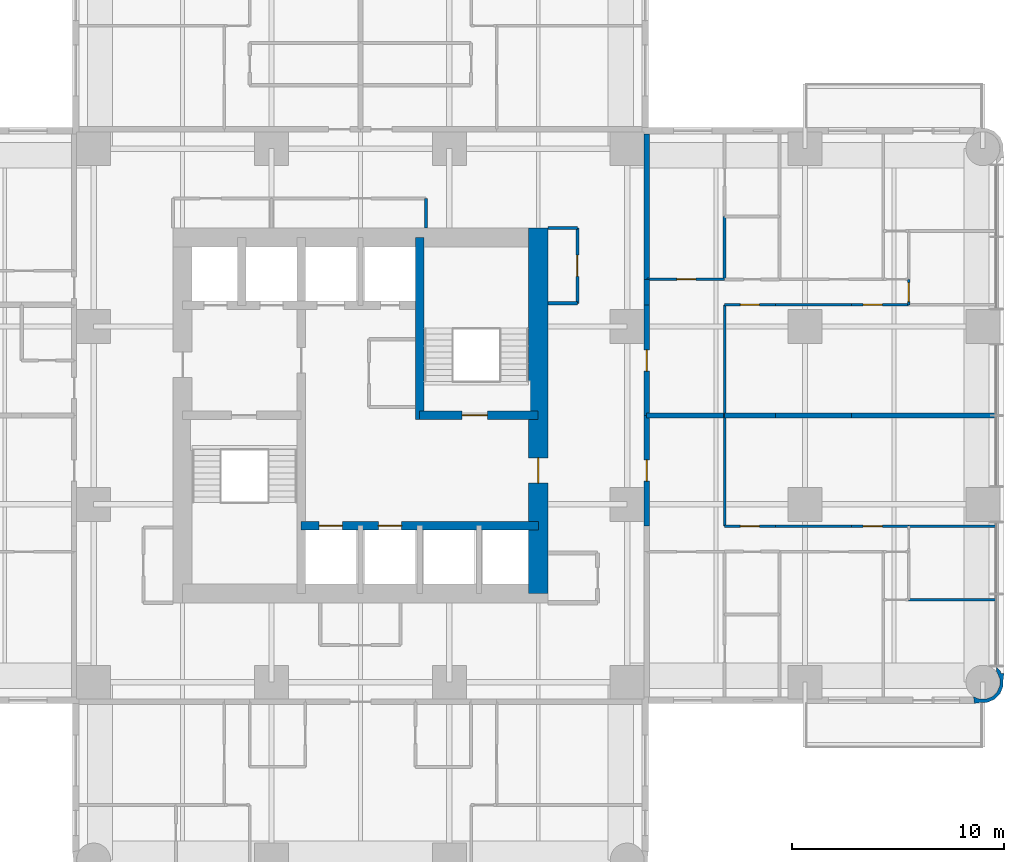
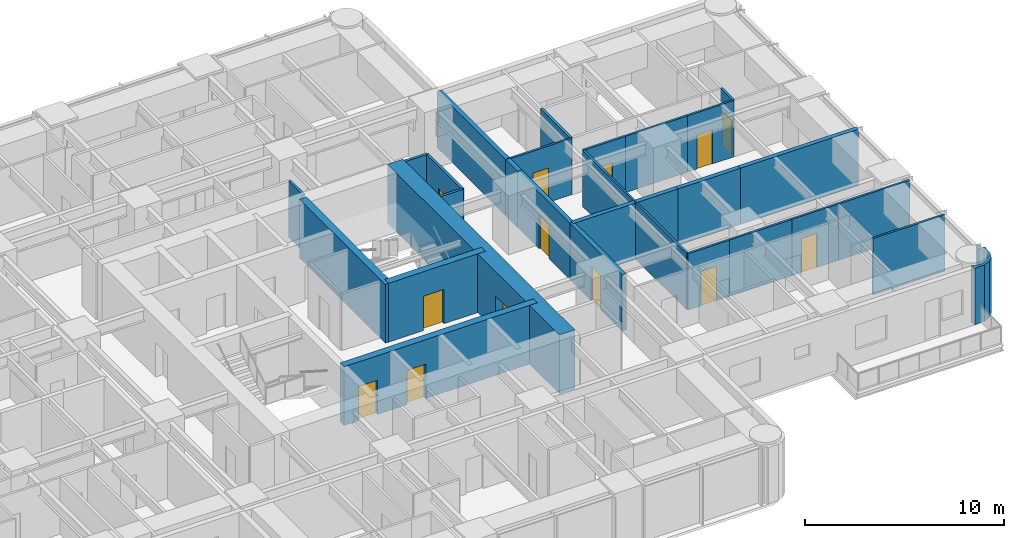
# One storey, part 10 of 15: 30 walls, 13 doors, 13 openings.
"""IFC4 building model written with IfcOpenShell, lengths in metres."""

from ifc_helpers import new_model, si_unit, direction, frame, frame_2d, origin, place, context, subcontext, project, spatial, polyline, rectangle, outline, extrude, material, layer, layer_set, type_object, element, fill, save


model = new_model("IFC4")

# Units and contexts
model_context = context("Model", 3, precision=1e-05, world=origin(), true_north=direction((0.0, 1.0)))
body_context = subcontext(model_context, "Body", "Model", "MODEL_VIEW")
ifc_project = project(units=[si_unit("LENGTHUNIT", "METRE"), si_unit("AREAUNIT", "SQUARE_METRE"), si_unit("VOLUMEUNIT", "CUBIC_METRE"), si_unit("PLANEANGLEUNIT", "RADIAN"), si_unit("MASSUNIT", "GRAM", prefix="KILO")], contexts=[model_context])

# Site, building, storey
site_placement = place(None, origin())
site = spatial("IfcSite", under=ifc_project, at=site_placement, CompositionType="ELEMENT")
building_placement = place(site_placement, origin())
building = spatial("IfcBuilding", under=site, at=building_placement, Name="Torre Alcanfor", CompositionType="ELEMENT")
storey_placement = place(building_placement, frame((0.0, 0.0, 116.10009765625)))
storey = spatial("IfcBuildingStorey", under=building, at=storey_placement, Name="L29", CompositionType="ELEMENT", Elevation=116.10009765625)

# Wall, opening, door
ifc_material_1 = material(Name="Concrete block masonry, hollow blocks NMX-C-404 9 MPa", Category="masonry")
ifc_layer_1 = layer(ifc_material_1, 0.25)
ifc_layer_set_1 = layer_set([ifc_layer_1], Name="Apartment entrance wall 250 EI 60")
wall_type_1 = type_object("IfcWallType", Name="Apartment entrance wall 250 EI 60", PredefinedType="PARTITIONING", material=ifc_layer_set_1)
wall_1_placement = place(storey_placement, frame((42.925048828125, 34.62890625, 0.0), z_axis=(0.0, 0.0, 1.0), x_axis=(0.0, -1.0, 0.0)))
wall_1 = element("IfcWall", 1, at=wall_1_placement, inside=storey, type_object=wall_type_1, Name="Partition L29-CORR / L29-E1-ZAG", PredefinedType="PARTITIONING", context=body_context, shape_type="SweptSolid", body=[
    extrude(rectangle(XDim=5.22900390625, YDim=0.25, at=frame_2d((2.614501953125, 0.0))), origin(), (0.0, 0.0, 1.0), 3.449951171875),
])
opening_1_placement = place(wall_1_placement, frame((2.12890625, 0.0, 0.0)))
opening_1 = element("IfcOpeningElement", 2, at=opening_1_placement, cuts=wall_1, Name="Opening D-A1", PredefinedType="OPENING", context=body_context, shape_type="SweptSolid", body=[
    extrude(rectangle(XDim=1.0, YDim=2.10009765625, at=frame_2d((0.5, 1.050048828125))), frame((0.0, 0.135009765625, 0.0), z_axis=(0.0, -1.0, 0.0), x_axis=(1.0, 0.0, 0.0)), (0.0, 0.0, 1.0), 0.27001953125),
])
ifc_material_2 = material(Name="Galvanised steel sheet ASTM A653", Category="steel")
door_type_1 = type_object("IfcDoorType", Name="Apartment entrance door FD60 1000x2100", OperationType="SINGLE_SWING_LEFT", PredefinedType="DOOR", material=ifc_material_2)
door_1_placement = place(opening_1_placement, origin())
door_1 = element("IfcDoor", 3, at=door_1_placement, inside=storey, type_object=door_type_1, Name="Apartment entrance L29-E1", OperationType="SINGLE_SWING_RIGHT", OverallHeight=2.10009765625, OverallWidth=1.0, PredefinedType="DOOR", context=body_context, shape_type="SweptSolid", body=[
    extrude(rectangle(XDim=1.0, YDim=2.10009765625, at=frame_2d((0.5, 1.050048828125))), frame((0.0, 0.02490234375, 0.0), z_axis=(0.0, -1.0, 0.0), x_axis=(1.0, 0.0, 0.0)), (0.0, 0.0, 1.0), 0.050048828125),
])
fill(opening_1, door_1)

# Walls
wall_2_placement = place(storey_placement, frame((42.925048828125, 35.8291015625, 0.0), z_axis=(0.0, 0.0, 1.0), x_axis=(0.0, -1.0, 0.0)))
element("IfcWall", 4, at=wall_2_placement, inside=storey, type_object=wall_type_1, Name="Partition L29-CORR / L29-E1-HALL", PredefinedType="PARTITIONING", context=body_context, shape_type="SweptSolid", body=[
    extrude(rectangle(XDim=1.2001953125, YDim=0.25, at=frame_2d((0.60009765625, 0.0))), origin(), (0.0, 0.0, 1.0), 3.449951171875),
])
wall_3_placement = place(storey_placement, frame((42.925048828125, 42.699951171875, 0.0), z_axis=(0.0, 0.0, 1.0), x_axis=(0.0, -1.0, 0.0)))
element("IfcWall", 5, at=wall_3_placement, inside=storey, type_object=wall_type_1, Name="Partition L29-CORR / L29-E1-SERV", PredefinedType="PARTITIONING", context=body_context, shape_type="SweptSolid", body=[
    extrude(rectangle(XDim=6.870849609375, YDim=0.25, at=frame_2d((3.435546875, 0.0))), origin(), (0.0, 0.0, 1.0), 3.449951171875),
])

# Wall, opening, door
wall_4_placement = place(storey_placement, frame((42.925048828125, 29.39990234375, 0.0), z_axis=(0.0, 0.0, 1.0), x_axis=(0.0, -1.0, 0.0)))
wall_4 = element("IfcWall", 6, at=wall_4_placement, inside=storey, type_object=wall_type_1, Name="Partition L29-CORR / L29-E2-ZAG", PredefinedType="PARTITIONING", context=body_context, shape_type="SweptSolid", body=[
    extrude(rectangle(XDim=5.22900390625, YDim=0.25, at=frame_2d((2.614501953125, 0.0))), origin(), (0.0, 0.0, 1.0), 3.449951171875),
])
opening_2_placement = place(wall_4_placement, frame((2.10009765625, 0.0, 0.0)))
opening_2 = element("IfcOpeningElement", 7, at=opening_2_placement, cuts=wall_4, Name="Opening D-A1", PredefinedType="OPENING", context=body_context, shape_type="SweptSolid", body=[
    extrude(rectangle(XDim=1.0, YDim=2.10009765625, at=frame_2d((0.5, 1.050048828125))), frame((0.0, 0.135009765625, 0.0), z_axis=(0.0, -1.0, 0.0), x_axis=(1.0, 0.0, 0.0)), (0.0, 0.0, 1.0), 0.27001953125),
])
door_2_placement = place(opening_2_placement, origin())
door_2 = element("IfcDoor", 8, at=door_2_placement, inside=storey, type_object=door_type_1, Name="Apartment entrance L29-E2", OperationType="SINGLE_SWING_LEFT", OverallHeight=2.10009765625, OverallWidth=1.0, PredefinedType="DOOR", context=body_context, shape_type="SweptSolid", body=[
    extrude(rectangle(XDim=1.0, YDim=2.10009765625, at=frame_2d((0.5, 1.050048828125))), frame((0.0, 0.02490234375, 0.0), z_axis=(0.0, -1.0, 0.0), x_axis=(1.0, 0.0, 0.0)), (0.0, 0.0, 1.0), 0.050048828125),
])
fill(opening_2, door_2)

# Wall
ifc_material_3 = material(Name="Gypsum board on steel studs", Category="steel")
ifc_layer_2 = layer(ifc_material_3, 0.1201171875)
ifc_layer_set_2 = layer_set([ifc_layer_2], Name="Apartment partition 120")
wall_type_2 = type_object("IfcWallType", Name="Apartment partition 120", PredefinedType="PARTITIONING", material=ifc_layer_set_2)
wall_5_placement = place(storey_placement, frame((46.60009765625, 29.39990234375, 0.0), z_axis=(0.0, 0.0, 1.0), x_axis=(0.0, 1.0, 0.0)))
element("IfcWall", 9, at=wall_5_placement, inside=storey, type_object=wall_type_2, Name="Partition L29-E1-ZAG / L29-E1-LAUND", PredefinedType="PARTITIONING", context=body_context, shape_type="SweptSolid", body=[
    extrude(rectangle(XDim=5.22900390625, YDim=0.1201171875, at=frame_2d((2.614501953125, 0.0))), origin(), (0.0, 0.0, 1.0), 3.449951171875),
])

# Wall, opening, door
wall_6_placement = place(storey_placement, frame((49.0, 34.62890625, 0.0), z_axis=(0.0, 0.0, 1.0), x_axis=(-1.0, 0.0, 0.0)))
wall_6 = element("IfcWall", 10, at=wall_6_placement, inside=storey, type_object=wall_type_2, Name="Partition L29-E1-LAUND / L29-E1-HALL", PredefinedType="PARTITIONING", context=body_context, shape_type="SweptSolid", body=[
    extrude(rectangle(XDim=2.39990234375, YDim=0.1201171875, at=frame_2d((1.199951171875, 0.0))), origin(), (0.0, 0.0, 1.0), 3.449951171875),
])
opening_3_placement = place(wall_6_placement, frame((0.75, 0.0, 0.0)))
opening_3 = element("IfcOpeningElement", 11, at=opening_3_placement, cuts=wall_6, Name="Opening D-R1", PredefinedType="OPENING", context=body_context, shape_type="SweptSolid", body=[
    extrude(rectangle(XDim=0.89990234375, YDim=2.10009765625, at=frame_2d((0.449951171875, 1.050048828125))), frame((0.0, 0.070068359375, 0.0), z_axis=(0.0, -1.0, 0.0), x_axis=(1.0, 0.0, 0.0)), (0.0, 0.0, 1.0), 0.14013671875),
])
ifc_material_4 = material(Name="Timber", Category="wood")
door_type_2 = type_object("IfcDoorType", Name="Internal door 900x2100", OperationType="SINGLE_SWING_LEFT", PredefinedType="DOOR", material=ifc_material_4)
door_3_placement = place(opening_3_placement, origin())
door_3 = element("IfcDoor", 12, at=door_3_placement, inside=storey, type_object=door_type_2, Name="Door L29-E1 laund", OperationType="SINGLE_SWING_LEFT", OverallHeight=2.10009765625, OverallWidth=0.89990234375, PredefinedType="DOOR", context=body_context, shape_type="SweptSolid", body=[
    extrude(rectangle(XDim=0.89990234375, YDim=2.10009765625, at=frame_2d((0.449951171875, 1.050048828125))), frame((0.0, 0.02490234375, 0.0), z_axis=(0.0, -1.0, 0.0), x_axis=(1.0, 0.0, 0.0)), (0.0, 0.0, 1.0), 0.050048828125),
])
fill(opening_3, door_3)

# Wall
wall_7_placement = place(storey_placement, frame((52.60009765625, 34.62890625, 0.0), z_axis=(0.0, 0.0, 1.0), x_axis=(-1.0, 0.0, 0.0)))
element("IfcWall", 13, at=wall_7_placement, inside=storey, type_object=wall_type_2, Name="Partition L29-E1-KITCHEN / L29-E1-HALL", PredefinedType="PARTITIONING", context=body_context, shape_type="SweptSolid", body=[
    extrude(rectangle(XDim=3.60009765625, YDim=0.1201171875, at=frame_2d((1.800048828125, 0.0))), origin(), (0.0, 0.0, 1.0), 3.449951171875),
])

# Wall, opening, door
wall_8_placement = place(storey_placement, frame((55.300048828125, 34.62890625, 0.0), z_axis=(0.0, 0.0, 1.0), x_axis=(-1.0, 0.0, 0.0)))
wall_8 = element("IfcWall", 14, at=wall_8_placement, inside=storey, type_object=wall_type_2, Name="Partition L29-E1-LIVING / L29-E1-HALL", PredefinedType="PARTITIONING", context=body_context, shape_type="SweptSolid", body=[
    extrude(rectangle(XDim=2.699951171875, YDim=0.1201171875, at=frame_2d((1.35009765625, 0.0))), origin(), (0.0, 0.0, 1.0), 3.449951171875),
])
opening_4_placement = place(wall_8_placement, frame((1.25, 0.0, 0.0)))
opening_4 = element("IfcOpeningElement", 15, at=opening_4_placement, cuts=wall_8, Name="Opening D-R1", PredefinedType="OPENING", context=body_context, shape_type="SweptSolid", body=[
    extrude(rectangle(XDim=0.89990234375, YDim=2.10009765625, at=frame_2d((0.449951171875, 1.050048828125))), frame((0.0, 0.070068359375, 0.0), z_axis=(0.0, -1.0, 0.0), x_axis=(1.0, 0.0, 0.0)), (0.0, 0.0, 1.0), 0.14013671875),
])
door_4_placement = place(opening_4_placement, origin())
door_4 = element("IfcDoor", 16, at=door_4_placement, inside=storey, type_object=door_type_2, Name="Door L29-E1 living", OperationType="SINGLE_SWING_RIGHT", OverallHeight=2.10009765625, OverallWidth=0.89990234375, PredefinedType="DOOR", context=body_context, shape_type="SweptSolid", body=[
    extrude(rectangle(XDim=0.89990234375, YDim=2.10009765625, at=frame_2d((0.449951171875, 1.050048828125))), frame((0.0, 0.02490234375, 0.0), z_axis=(0.0, -1.0, 0.0), x_axis=(1.0, 0.0, 0.0)), (0.0, 0.0, 1.0), 0.050048828125),
])
fill(opening_4, door_4)

wall_9_placement = place(storey_placement, frame((46.60009765625, 35.8291015625, 0.0), z_axis=(0.0, 0.0, 1.0), x_axis=(-1.0, 0.0, 0.0)))
wall_9 = element("IfcWall", 17, at=wall_9_placement, inside=storey, type_object=wall_type_2, Name="Partition L29-E1-HALL / L29-E1-SERV", PredefinedType="PARTITIONING", context=body_context, shape_type="SweptSolid", body=[
    extrude(rectangle(XDim=3.675048828125, YDim=0.1201171875, at=frame_2d((1.83740234375, 0.0))), origin(), (0.0, 0.0, 1.0), 3.449951171875),
])
opening_5_placement = place(wall_9_placement, frame((1.35009765625, 0.0, 0.0)))
opening_5 = element("IfcOpeningElement", 18, at=opening_5_placement, cuts=wall_9, Name="Opening D-R1", PredefinedType="OPENING", context=body_context, shape_type="SweptSolid", body=[
    extrude(rectangle(XDim=0.89990234375, YDim=2.10009765625, at=frame_2d((0.449951171875, 1.050048828125))), frame((0.0, 0.070068359375, 0.0), z_axis=(0.0, -1.0, 0.0), x_axis=(1.0, 0.0, 0.0)), (0.0, 0.0, 1.0), 0.14013671875),
])
door_5_placement = place(opening_5_placement, frame((0.89990234375, 0.0, 0.0), z_axis=(0.0, 0.0, 1.0), x_axis=(-1.0, 0.0, 0.0)))
door_5 = element("IfcDoor", 19, at=door_5_placement, inside=storey, type_object=door_type_2, Name="Door L29-E1 serv", OperationType="SINGLE_SWING_RIGHT", OverallHeight=2.10009765625, OverallWidth=0.89990234375, PredefinedType="DOOR", context=body_context, shape_type="SweptSolid", body=[
    extrude(rectangle(XDim=0.89990234375, YDim=2.10009765625, at=frame_2d((0.449951171875, 1.050048828125))), frame((0.0, 0.025146484375, 0.0), z_axis=(0.0, -1.0, 0.0), x_axis=(1.0, 0.0, 0.0)), (0.0, 0.0, 1.0), 0.050048828125),
])
fill(opening_5, door_5)

wall_10_placement = place(storey_placement, frame((55.300048828125, 34.62890625, 0.0), z_axis=(0.0, 0.0, 1.0), x_axis=(0.0, 1.0, 0.0)))
wall_10 = element("IfcWall", 20, at=wall_10_placement, inside=storey, type_object=wall_type_2, Name="Partition L29-E1-HALL / L29-E1-BED2", PredefinedType="PARTITIONING", context=body_context, shape_type="SweptSolid", body=[
    extrude(rectangle(XDim=1.2001953125, YDim=0.1201171875, at=frame_2d((0.60009765625, 0.0))), origin(), (0.0, 0.0, 1.0), 3.449951171875),
])
opening_6_placement = place(wall_10_placement, frame((0.15087890625, 0.0, 0.0)))
opening_6 = element("IfcOpeningElement", 21, at=opening_6_placement, cuts=wall_10, Name="Opening D-R1", PredefinedType="OPENING", context=body_context, shape_type="SweptSolid", body=[
    extrude(rectangle(XDim=0.89990234375, YDim=2.10009765625, at=frame_2d((0.449951171875, 1.050048828125))), frame((0.0, 0.070068359375, 0.0), z_axis=(0.0, -1.0, 0.0), x_axis=(1.0, 0.0, 0.0)), (0.0, 0.0, 1.0), 0.14013671875),
])
door_6_placement = place(opening_6_placement, frame((0.89990234375, 0.0, 0.0), z_axis=(0.0, 0.0, 1.0), x_axis=(-1.0, 0.0, 0.0)))
door_6 = element("IfcDoor", 22, at=door_6_placement, inside=storey, type_object=door_type_2, Name="Door L29-E1 bed2", OperationType="SINGLE_SWING_RIGHT", OverallHeight=2.10009765625, OverallWidth=0.89990234375, PredefinedType="DOOR", context=body_context, shape_type="SweptSolid", body=[
    extrude(rectangle(XDim=0.89990234375, YDim=2.10009765625, at=frame_2d((0.449951171875, 1.050048828125))), frame((0.0, 0.025146484375, 0.0), z_axis=(0.0, -1.0, 0.0), x_axis=(1.0, 0.0, 0.0)), (0.0, 0.0, 1.0), 0.050048828125),
])
fill(opening_6, door_6)

# Wall
wall_11_placement = place(storey_placement, frame((46.60009765625, 29.39990234375, 0.0), z_axis=(0.0, 0.0, 1.0), x_axis=(0.0, -1.0, 0.0)))
element("IfcWall", 23, at=wall_11_placement, inside=storey, type_object=wall_type_2, Name="Partition L29-E2-ZAG / L29-E2-LAUND", PredefinedType="PARTITIONING", context=body_context, shape_type="SweptSolid", body=[
    extrude(rectangle(XDim=5.22900390625, YDim=0.1201171875, at=frame_2d((2.614501953125, 0.0))), origin(), (0.0, 0.0, 1.0), 3.449951171875),
])

# Wall, opening, door
wall_12_placement = place(storey_placement, frame((49.0, 24.1708984375, 0.0), z_axis=(0.0, 0.0, 1.0), x_axis=(-1.0, 0.0, 0.0)))
wall_12 = element("IfcWall", 24, at=wall_12_placement, inside=storey, type_object=wall_type_2, Name="Partition L29-E2-LAUND / L29-E2-HALL", PredefinedType="PARTITIONING", context=body_context, shape_type="SweptSolid", body=[
    extrude(rectangle(XDim=2.39990234375, YDim=0.1201171875, at=frame_2d((1.199951171875, 0.0))), origin(), (0.0, 0.0, 1.0), 3.449951171875),
])
opening_7_placement = place(wall_12_placement, frame((0.75, 0.0, 0.0)))
opening_7 = element("IfcOpeningElement", 25, at=opening_7_placement, cuts=wall_12, Name="Opening D-R1", PredefinedType="OPENING", context=body_context, shape_type="SweptSolid", body=[
    extrude(rectangle(XDim=0.89990234375, YDim=2.10009765625, at=frame_2d((0.449951171875, 1.050048828125))), frame((0.0, 0.070068359375, 0.0), z_axis=(0.0, -1.0, 0.0), x_axis=(1.0, 0.0, 0.0)), (0.0, 0.0, 1.0), 0.14013671875),
])
door_7_placement = place(opening_7_placement, frame((0.89990234375, 0.0, 0.0), z_axis=(0.0, 0.0, 1.0), x_axis=(-1.0, 0.0, 0.0)))
door_7 = element("IfcDoor", 26, at=door_7_placement, inside=storey, type_object=door_type_2, Name="Door L29-E2 laund", OperationType="SINGLE_SWING_RIGHT", OverallHeight=2.10009765625, OverallWidth=0.89990234375, PredefinedType="DOOR", context=body_context, shape_type="SweptSolid", body=[
    extrude(rectangle(XDim=0.89990234375, YDim=2.10009765625, at=frame_2d((0.449951171875, 1.050048828125))), frame((0.0, 0.025146484375, 0.0), z_axis=(0.0, -1.0, 0.0), x_axis=(1.0, 0.0, 0.0)), (0.0, 0.0, 1.0), 0.050048828125),
])
fill(opening_7, door_7)

# Wall
wall_13_placement = place(storey_placement, frame((52.60009765625, 24.1708984375, 0.0), z_axis=(0.0, 0.0, 1.0), x_axis=(-1.0, 0.0, 0.0)))
element("IfcWall", 27, at=wall_13_placement, inside=storey, type_object=wall_type_2, Name="Partition L29-E2-KITCHEN / L29-E2-HALL", PredefinedType="PARTITIONING", context=body_context, shape_type="SweptSolid", body=[
    extrude(rectangle(XDim=3.60009765625, YDim=0.1201171875, at=frame_2d((1.800048828125, 0.0))), origin(), (0.0, 0.0, 1.0), 3.449951171875),
])

# Wall, opening, door
wall_14_placement = place(storey_placement, frame((55.300048828125, 24.1708984375, 0.0), z_axis=(0.0, 0.0, 1.0), x_axis=(-1.0, 0.0, 0.0)))
wall_14 = element("IfcWall", 28, at=wall_14_placement, inside=storey, type_object=wall_type_2, Name="Partition L29-E2-LIVING / L29-E2-HALL", PredefinedType="PARTITIONING", context=body_context, shape_type="SweptSolid", body=[
    extrude(rectangle(XDim=2.699951171875, YDim=0.1201171875, at=frame_2d((1.35009765625, 0.0))), origin(), (0.0, 0.0, 1.0), 3.449951171875),
])
opening_8_placement = place(wall_14_placement, frame((1.25, 0.0, 0.0)))
opening_8 = element("IfcOpeningElement", 29, at=opening_8_placement, cuts=wall_14, Name="Opening D-R1", PredefinedType="OPENING", context=body_context, shape_type="SweptSolid", body=[
    extrude(rectangle(XDim=0.89990234375, YDim=2.10009765625, at=frame_2d((0.449951171875, 1.050048828125))), frame((0.0, 0.070068359375, 0.0), z_axis=(0.0, -1.0, 0.0), x_axis=(1.0, 0.0, 0.0)), (0.0, 0.0, 1.0), 0.14013671875),
])
door_8_placement = place(opening_8_placement, frame((0.89990234375, 0.0, 0.0), z_axis=(0.0, 0.0, 1.0), x_axis=(-1.0, 0.0, 0.0)))
door_8 = element("IfcDoor", 30, at=door_8_placement, inside=storey, type_object=door_type_2, Name="Door L29-E2 living", OperationType="SINGLE_SWING_LEFT", OverallHeight=2.10009765625, OverallWidth=0.89990234375, PredefinedType="DOOR", context=body_context, shape_type="SweptSolid", body=[
    extrude(rectangle(XDim=0.89990234375, YDim=2.10009765625, at=frame_2d((0.449951171875, 1.050048828125))), frame((0.0, 0.025146484375, 0.0), z_axis=(0.0, -1.0, 0.0), x_axis=(1.0, 0.0, 0.0)), (0.0, 0.0, 1.0), 0.050048828125),
])
fill(opening_8, door_8)

# Walls
for number, where, z_axis, x_axis, name in (
    (31, (59.449951171875, 24.1708984375, 0.0), (0.0, 0.0, 1.0), (-1.0, 0.0, 0.0), "Partition L29-E2-LIVING / L29-E2-BED2"),
    (32, (59.449951171875, 20.68603515625, 0.0), (0.0, 0.0, 1.0), (-1.0, 0.0, 0.0), "Partition L29-E2-BED2 / L29-E2-MASTER"),
):
    element("IfcWall", number, at=place(storey_placement, frame(where, z_axis=z_axis, x_axis=x_axis)), inside=storey, type_object=wall_type_2, Name=name, PredefinedType="PARTITIONING", context=body_context, shape_type="SweptSolid", body=[
        extrude(rectangle(XDim=4.14990234375, YDim=0.1201171875, at=frame_2d((2.074951171875, 0.0))), origin(), (0.0, 0.0, 1.0), 3.449951171875),
    ])

# Wall, openings, doors
ifc_material_5 = material(Name="Concrete f'c 70 MPa", Category="concrete")
ifc_layer_3 = layer(ifc_material_5, 0.39990234375)
ifc_layer_set_3 = layer_set([ifc_layer_3], Name="Core inner wall 400 f'c70")
wall_type_3 = type_object("IfcWallType", Name="Core inner wall 400 f'c70", PredefinedType="SHEAR", material=ifc_layer_set_3)
wall_15_placement = place(storey_placement, frame((26.60009765625, 24.199951171875, 0.0), z_axis=(0.0, 0.0, 1.0), x_axis=(1.0, 0.0, 0.0)))
wall_15 = element("IfcWall", 33, at=wall_15_placement, inside=storey, type_object=wall_type_3, Name="Core wall Y242 L29", PredefinedType="SHEAR", context=body_context, shape_type="SweptSolid", body=[
    extrude(rectangle(XDim=11.199951171875, YDim=0.39990234375, at=frame_2d((5.60009765625, 0.0))), origin(), (0.0, 0.0, 1.0), 3.599853515625),
])
opening_9_placement = place(wall_15_placement, frame((0.85009765625, 0.0, 0.0)))
opening_9 = element("IfcOpeningElement", 34, at=opening_9_placement, cuts=wall_15, Name="Opening LD1", PredefinedType="OPENING", context=body_context, shape_type="SweptSolid", body=[
    extrude(rectangle(XDim=1.10009765625, YDim=2.10009765625, at=frame_2d((0.550048828125, 1.050048828125))), frame((0.0, 0.2099609375, 0.0), z_axis=(0.0, -1.0, 0.0), x_axis=(1.0, 0.0, 0.0)), (0.0, 0.0, 1.0), 0.419921875),
])
opening_10_placement = place(wall_15_placement, frame((3.64990234375, 0.0, 0.0)))
opening_10 = element("IfcOpeningElement", 35, at=opening_10_placement, cuts=wall_15, Name="Opening LD1", PredefinedType="OPENING", context=body_context, shape_type="SweptSolid", body=[
    extrude(rectangle(XDim=1.10009765625, YDim=2.10009765625, at=frame_2d((0.550048828125, 1.050048828125))), frame((0.0, 0.2099609375, 0.0), z_axis=(0.0, -1.0, 0.0), x_axis=(1.0, 0.0, 0.0)), (0.0, 0.0, 1.0), 0.419921875),
])
ifc_material_6 = material(Name="Galvanised steel sheet ASTM A653", Category="steel")
door_type_3 = type_object("IfcDoorType", Name="Lift landing door 1100x2100", OperationType="DOUBLE_DOOR_SLIDING", PredefinedType="DOOR", material=ifc_material_6)
door_9_placement = place(opening_9_placement, origin())
door_9 = element("IfcDoor", 36, at=door_9_placement, inside=storey, type_object=door_type_3, Name="Lift landing door PA1 L29", OperationType="DOUBLE_DOOR_SLIDING", OverallHeight=2.10009765625, OverallWidth=1.10009765625, PredefinedType="DOOR", context=body_context, shape_type="SweptSolid", body=[
    extrude(rectangle(XDim=1.10009765625, YDim=2.10009765625, at=frame_2d((0.550048828125, 1.050048828125))), frame((0.0, 0.02490234375, 0.0), z_axis=(0.0, -1.0, 0.0), x_axis=(1.0, 0.0, 0.0)), (0.0, 0.0, 1.0), 0.050048828125),
])
fill(opening_9, door_9)
door_10_placement = place(opening_10_placement, origin())
door_10 = element("IfcDoor", 37, at=door_10_placement, inside=storey, type_object=door_type_3, Name="Lift landing door PA2 L29", OperationType="DOUBLE_DOOR_SLIDING", OverallHeight=2.10009765625, OverallWidth=1.10009765625, PredefinedType="DOOR", context=body_context, shape_type="SweptSolid", body=[
    extrude(rectangle(XDim=1.10009765625, YDim=2.10009765625, at=frame_2d((0.550048828125, 1.050048828125))), frame((0.0, 0.02490234375, 0.0), z_axis=(0.0, -1.0, 0.0), x_axis=(1.0, 0.0, 0.0)), (0.0, 0.0, 1.0), 0.050048828125),
])
fill(opening_10, door_10)

# Wall
wall_16_placement = place(storey_placement, frame((32.199951171875, 29.199951171875, 0.0), z_axis=(0.0, 0.0, 1.0), x_axis=(0.0, 1.0, 0.0)))
element("IfcWall", 38, at=wall_16_placement, inside=storey, type_object=wall_type_3, Name="Core wall X322N L29", PredefinedType="SHEAR", context=body_context, shape_type="SweptSolid", body=[
    extrude(rectangle(XDim=8.60009765625, YDim=0.39990234375, at=frame_2d((4.300048828125, 0.0))), origin(), (0.0, 0.0, 1.0), 3.599853515625),
])

# Wall, opening, door
wall_17_placement = place(storey_placement, frame((32.199951171875, 29.39990234375, 0.0), z_axis=(0.0, 0.0, 1.0), x_axis=(1.0, 0.0, 0.0)))
wall_17 = element("IfcWall", 39, at=wall_17_placement, inside=storey, type_object=wall_type_3, Name="Core wall Y294E L29", PredefinedType="SHEAR", context=body_context, shape_type="SweptSolid", body=[
    extrude(rectangle(XDim=5.60009765625, YDim=0.39990234375, at=frame_2d((2.800048828125, 0.0))), origin(), (0.0, 0.0, 1.0), 3.599853515625),
])
opening_11_placement = place(wall_17_placement, frame((2.0, 0.0, 0.0)))
opening_11 = element("IfcOpeningElement", 40, at=opening_11_placement, cuts=wall_17, Name="Opening D-S2", PredefinedType="OPENING", context=body_context, shape_type="SweptSolid", body=[
    extrude(rectangle(XDim=1.199951171875, YDim=2.10009765625, at=frame_2d((0.60009765625, 1.050048828125))), frame((0.0, 0.2099609375, 0.0), z_axis=(0.0, -1.0, 0.0), x_axis=(1.0, 0.0, 0.0)), (0.0, 0.0, 1.0), 0.419921875),
])
ifc_material_7 = material(Name="Galvanised steel sheet ASTM A653", Category="steel")
door_type_4 = type_object("IfcDoorType", Name="Stair enclosure door FD120 1200x2100", OperationType="SINGLE_SWING_LEFT", PredefinedType="DOOR", material=ifc_material_7)
door_11_placement = place(opening_11_placement, origin())
door_11 = element("IfcDoor", 41, at=door_11_placement, inside=storey, type_object=door_type_4, Name="Stair S2 door L29", OperationType="SINGLE_SWING_LEFT", OverallHeight=2.10009765625, OverallWidth=1.199951171875, PredefinedType="DOOR", context=body_context, shape_type="SweptSolid", body=[
    extrude(rectangle(XDim=1.199951171875, YDim=2.10009765625, at=frame_2d((0.60009765625, 1.050048828125))), frame((0.0, 0.02490234375, 0.0), z_axis=(0.0, -1.0, 0.0), x_axis=(1.0, 0.0, 0.0)), (0.0, 0.0, 1.0), 0.050048828125),
])
fill(opening_11, door_11)

ifc_material_8 = material(Name="Concrete f'c 70 MPa", Category="concrete")
ifc_layer_4 = layer(ifc_material_8, 0.89990234375)
ifc_layer_set_4 = layer_set([ifc_layer_4], Name="Core wall 900 f'c70")
wall_type_4 = type_object("IfcWallType", Name="Core wall 900 f'c70", PredefinedType="SHEAR", material=ifc_layer_set_4)
wall_18_placement = place(storey_placement, frame((37.800048828125, 21.0, 0.0), z_axis=(0.0, 0.0, 1.0), x_axis=(0.0, 1.0, 0.0)))
wall_18 = element("IfcWall", 42, at=wall_18_placement, inside=storey, type_object=wall_type_4, Name="Core wall OUT-E L29", PredefinedType="SHEAR", context=body_context, shape_type="SweptSolid", body=[
    extrude(rectangle(XDim=17.25, YDim=0.89990234375, at=frame_2d((8.625, 0.0))), origin(), (0.0, 0.0, 1.0), 3.599853515625),
])
opening_12_placement = place(wall_18_placement, frame((5.199951171875, 0.0, 0.0)))
opening_12 = element("IfcOpeningElement", 43, at=opening_12_placement, cuts=wall_18, Name="Opening D-L1", PredefinedType="OPENING", context=body_context, shape_type="SweptSolid", body=[
    extrude(rectangle(XDim=1.199951171875, YDim=2.10009765625, at=frame_2d((0.60009765625, 1.050048828125))), frame((0.0, 0.4599609375, 0.0), z_axis=(0.0, -1.0, 0.0), x_axis=(1.0, 0.0, 0.0)), (0.0, 0.0, 1.0), 0.919921875),
])
ifc_material_9 = material(Name="Galvanised steel sheet ASTM A653", Category="steel")
door_type_5 = type_object("IfcDoorType", Name="Lobby door FD120 1200x2100", OperationType="SINGLE_SWING_LEFT", PredefinedType="DOOR", material=ifc_material_9)
door_12_placement = place(opening_12_placement, origin())
door_12 = element("IfcDoor", 44, at=door_12_placement, inside=storey, type_object=door_type_5, Name="Lift lobby entrance door L29", OperationType="SINGLE_SWING_LEFT", OverallHeight=2.10009765625, OverallWidth=1.199951171875, PredefinedType="DOOR", context=body_context, shape_type="SweptSolid", body=[
    extrude(rectangle(XDim=1.199951171875, YDim=2.10009765625, at=frame_2d((0.60009765625, 1.050048828125))), frame((0.0, 0.02490234375, 0.0), z_axis=(0.0, -1.0, 0.0), x_axis=(1.0, 0.0, 0.0)), (0.0, 0.0, 1.0), 0.050048828125),
])
fill(opening_12, door_12)

# Walls
ifc_material_10 = material(Name="Concrete block masonry, hollow blocks NMX-C-404 9 MPa", Category="masonry")
ifc_layer_5 = layer(ifc_material_10, 0.25)
ifc_layer_set_5 = layer_set([ifc_layer_5], Name="Party wall 250 EI 60")
wall_type_5 = type_object("IfcWallType", Name="Party wall 250 EI 60", PredefinedType="PARTITIONING", material=ifc_layer_set_5)
wall_19_placement = place(storey_placement, frame((42.925048828125, 29.39990234375, 0.0), z_axis=(0.0, 0.0, 1.0), x_axis=(1.0, 0.0, 0.0)))
element("IfcWall", 45, at=wall_19_placement, inside=storey, type_object=wall_type_5, Name="Partition L29-E1-ZAG / L29-E2-ZAG", PredefinedType="PARTITIONING", context=body_context, shape_type="SweptSolid", body=[
    extrude(rectangle(XDim=3.675048828125, YDim=0.25, at=frame_2d((1.83740234375, 0.0))), origin(), (0.0, 0.0, 1.0), 3.449951171875),
])
wall_20_placement = place(storey_placement, frame((46.60009765625, 29.39990234375, 0.0), z_axis=(0.0, 0.0, 1.0), x_axis=(1.0, 0.0, 0.0)))
element("IfcWall", 46, at=wall_20_placement, inside=storey, type_object=wall_type_5, Name="Partition L29-E1-LAUND / L29-E2-LAUND", PredefinedType="PARTITIONING", context=body_context, shape_type="SweptSolid", body=[
    extrude(rectangle(XDim=2.39990234375, YDim=0.25, at=frame_2d((1.199951171875, 0.0))), origin(), (0.0, 0.0, 1.0), 3.449951171875),
])
wall_21_placement = place(storey_placement, frame((49.0, 29.39990234375, 0.0), z_axis=(0.0, 0.0, 1.0), x_axis=(1.0, 0.0, 0.0)))
element("IfcWall", 47, at=wall_21_placement, inside=storey, type_object=wall_type_5, Name="Partition L29-E1-KITCHEN / L29-E2-KITCHEN", PredefinedType="PARTITIONING", context=body_context, shape_type="SweptSolid", body=[
    extrude(rectangle(XDim=3.60009765625, YDim=0.25, at=frame_2d((1.800048828125, 0.0))), origin(), (0.0, 0.0, 1.0), 3.449951171875),
])
wall_22_placement = place(storey_placement, frame((52.60009765625, 29.39990234375, 0.0), z_axis=(0.0, 0.0, 1.0), x_axis=(1.0, 0.0, 0.0)))
element("IfcWall", 48, at=wall_22_placement, inside=storey, type_object=wall_type_5, Name="Partition L29-E1-LIVING / L29-E2-LIVING", PredefinedType="PARTITIONING", context=body_context, shape_type="SweptSolid", body=[
    extrude(rectangle(XDim=6.849853515625, YDim=0.25, at=frame_2d((3.4248046875, 0.0))), origin(), (0.0, 0.0, 1.0), 3.449951171875),
])
ifc_material_11 = material(Name="Concrete block masonry, hollow blocks NMX-C-404 9 MPa", Category="masonry")
ifc_layer_6 = layer(ifc_material_11, 0.14990234375)
ifc_layer_set_6 = layer_set([ifc_layer_6], Name="Residents' room partition 150")
wall_type_6 = type_object("IfcWallType", Name="Residents' room partition 150", PredefinedType="PARTITIONING", material=ifc_layer_set_6)
for number, where, z_axis, x_axis, name in (
    (49, (32.5, 38.25, 0.0), (0.0, 0.0, 1.0), (0.0, 1.0, 0.0), "Partition L29-CORR / L29-G02"),
    (50, (38.25, 34.699951171875, 0.0), (0.0, 0.0, 1.0), (1.0, 0.0, 0.0), "Partition L29-CORR / L29-G04"),
):
    element("IfcWall", number, at=place(storey_placement, frame(where, z_axis=z_axis, x_axis=x_axis)), inside=storey, type_object=wall_type_6, Name=name, PredefinedType="PARTITIONING", context=body_context, shape_type="SweptSolid", body=[
        extrude(rectangle(XDim=1.39990234375, YDim=0.14990234375, at=frame_2d((0.699951171875, 0.0))), origin(), (0.0, 0.0, 1.0), 3.449951171875),
    ])

# Wall, opening, door
wall_23_placement = place(storey_placement, frame((39.64990234375, 34.699951171875, 0.0), z_axis=(0.0, 0.0, 1.0), x_axis=(0.0, 1.0, 0.0)))
wall_23 = element("IfcWall", 51, at=wall_23_placement, inside=storey, type_object=wall_type_6, Name="Partition L29-CORR / L29-G04", PredefinedType="PARTITIONING", context=body_context, shape_type="SweptSolid", body=[
    extrude(rectangle(XDim=3.550048828125, YDim=0.14990234375, at=frame_2d((1.77490234375, 0.0))), origin(), (0.0, 0.0, 1.0), 3.449951171875),
])
opening_13_placement = place(wall_23_placement, frame((1.27490234375, 0.0, 0.0)))
opening_13 = element("IfcOpeningElement", 52, at=opening_13_placement, cuts=wall_23, Name="Opening D-M1", PredefinedType="OPENING", context=body_context, shape_type="SweptSolid", body=[
    extrude(rectangle(XDim=1.0, YDim=2.10009765625, at=frame_2d((0.5, 1.050048828125))), frame((0.0, 0.0849609375, 0.0), z_axis=(0.0, -1.0, 0.0), x_axis=(1.0, 0.0, 0.0)), (0.0, 0.0, 1.0), 0.169921875),
])
ifc_material_12 = material(Name="Timber", Category="wood")
door_type_6 = type_object("IfcDoorType", Name="Residents' room door 1000x2100", OperationType="SINGLE_SWING_LEFT", PredefinedType="DOOR", material=ifc_material_12)
door_13_placement = place(opening_13_placement, origin())
door_13 = element("IfcDoor", 53, at=door_13_placement, inside=storey, type_object=door_type_6, Name="Door L29-G04 pram and buggy store", OperationType="SINGLE_SWING_LEFT", OverallHeight=2.10009765625, OverallWidth=1.0, PredefinedType="DOOR", context=body_context, shape_type="SweptSolid", body=[
    extrude(rectangle(XDim=1.0, YDim=2.10009765625, at=frame_2d((0.5, 1.050048828125))), frame((0.0, 0.02490234375, 0.0), z_axis=(0.0, -1.0, 0.0), x_axis=(1.0, 0.0, 0.0)), (0.0, 0.0, 1.0), 0.050048828125),
])
fill(opening_13, door_13)

# Walls
wall_24_placement = place(storey_placement, frame((39.64990234375, 38.25, 0.0), z_axis=(0.0, 0.0, 1.0), x_axis=(-1.0, 0.0, 0.0)))
element("IfcWall", 54, at=wall_24_placement, inside=storey, type_object=wall_type_6, Name="Partition L29-CORR / L29-G04", PredefinedType="PARTITIONING", context=body_context, shape_type="SweptSolid", body=[
    extrude(rectangle(XDim=1.39990234375, YDim=0.14990234375, at=frame_2d((0.699951171875, 0.0))), origin(), (0.0, 0.0, 1.0), 3.449951171875),
])
ifc_material_13 = material(Name="Limestone cladding", Category="masonry")
ifc_layer_7 = layer(ifc_material_13, 0.0400390625, Name="Facing")
ifc_material_14 = material(Name="Ventilated air cavity")
ifc_layer_8 = layer(ifc_material_14, 0.02001953125, ventilated=True, Name="Ventilated joint")
ifc_material_15 = material(Name="Mineral wool insulation", Category="insulation")
ifc_layer_9 = layer(ifc_material_15, 0.10009765625, Name="Insulation")
ifc_material_16 = material(Name="Concrete f'c 35 MPa", Category="concrete")
ifc_layer_10 = layer(ifc_material_16, 0.139892578125, Name="Backing")
ifc_layer_set_7 = layer_set([ifc_layer_7, ifc_layer_8, ifc_layer_9, ifc_layer_10], Name="Rounded corner pier stone-clad 300")
wall_type_7 = type_object("IfcWallType", Name="Rounded corner pier stone-clad 300", PredefinedType="SOLIDWALL", material=ifc_layer_set_7)
wall_25_placement = place(storey_placement, frame((58.473176205, 15.982940512, 0.0), z_axis=(0.0, 0.0, 1.0), x_axis=(0.93923434088, -0.343276641956, 0.0)))
element("IfcWall", 55, at=wall_25_placement, inside=storey, type_object=wall_type_7, Name="Corner pier L29 17", PredefinedType="SOLIDWALL", context=body_context, shape_type="SweptSolid", body=[
    extrude(outline(polyline([(0.8284730010654036, 1.5985425833407376), (0.696550254150438, 1.5690420941096577), (0.604150309609554, 1.6696580493968027), (0.3940514645210207, 1.7672868618913617), (0.47123842429676593, 1.5560967183488668), (0.5084988752141064, 1.538782517623304), (0.7242236800575332, 1.304144262222244), (0.8335928250166512, 1.004900899222292), (0.8200123708562836, 0.6864548699061994), (0.6857181921193565, 0.39745154052212156), (0.4509961289443815, 0.18195604093769838), (0.15175276594442946, 0.07258689597858048), (-0.11627514476265094, 0.08405951949541965), (-0.12738305855443924, 0.07818018621272643), (-0.1459567845337466, 0.07139175652560875), (-0.006038883692560254, -0.1969313551897346), (0.2657016888450987, -0.05498461418889633), (0.5353646734335612, 0.04357332793518234), (0.8165937238928549, 0.3018001061266741), (0.9775139424010254, 0.6481031205348973), (0.9937655592370759, 1.0296500763704852), (0.8951238093390822, 1.2995423662179517), (0.8284730010654036, 1.5985425833407376)])), origin(), (0.0, 0.0, 1.0), 3.449951171875),
])
ifc_material_17 = material(Name="Cement board on steel studs", Category="steel")
ifc_layer_11 = layer(ifc_material_17, 0.14990234375)
ifc_layer_set_8 = layer_set([ifc_layer_11], Name="Wet area partition 150")
wall_type_8 = type_object("IfcWallType", Name="Wet area partition 150", PredefinedType="PARTITIONING", material=ifc_layer_set_8)
wall_26_placement = place(storey_placement, frame((46.60009765625, 35.8291015625, 0.0), z_axis=(0.0, 0.0, 1.0), x_axis=(0.0, 1.0, 0.0)))
element("IfcWall", 56, at=wall_26_placement, inside=storey, type_object=wall_type_8, Name="Partition L29-E1-SERV / L29-E1-BATH1", PredefinedType="PARTITIONING", context=body_context, shape_type="SweptSolid", body=[
    extrude(rectangle(XDim=2.970947265625, YDim=0.14990234375, at=frame_2d((1.4853515625, 0.0))), origin(), (0.0, 0.0, 1.0), 3.449951171875),
])

save(model, "model.ifc")
